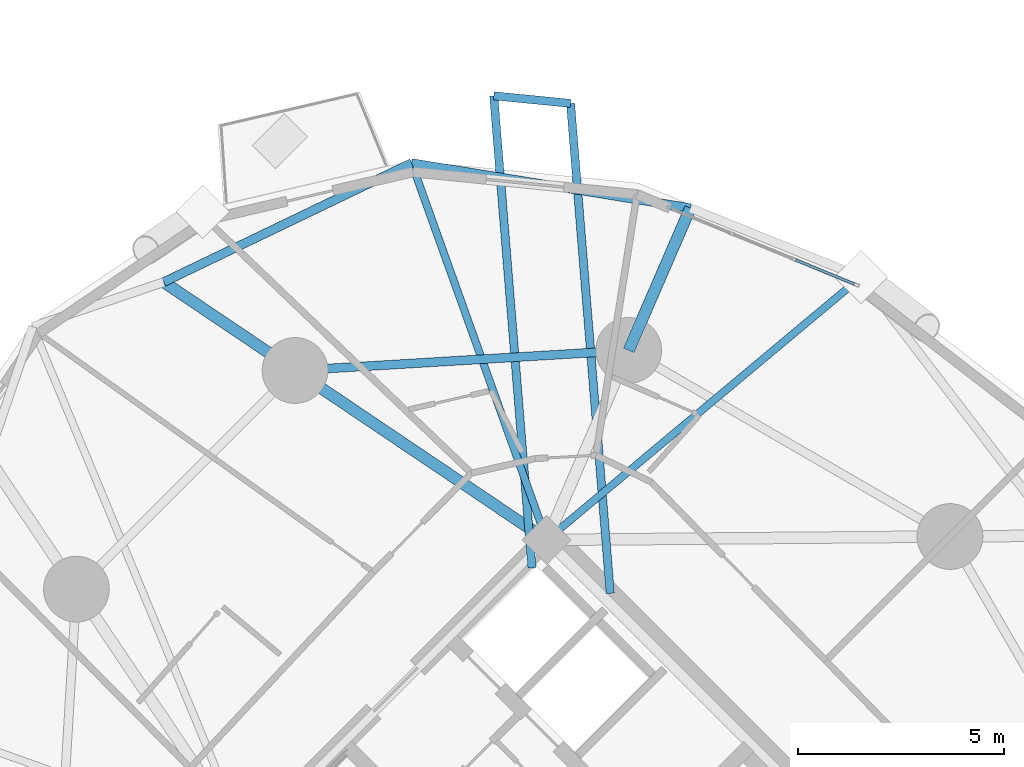
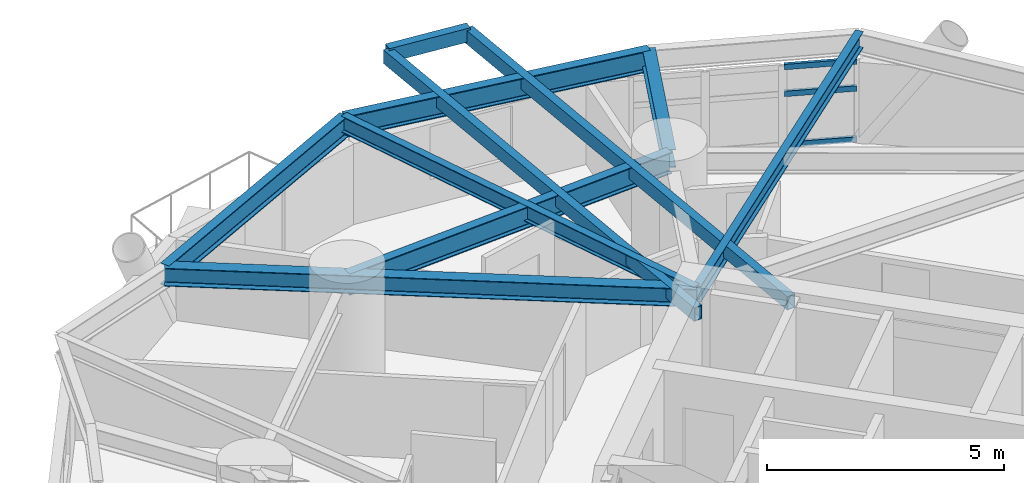
# One storey, part 6 of 19: 10 beams, 3 members, 1 element without a shape of its own.
"""IFC4 building model written with IfcOpenShell, lengths in metres."""

from ifc_helpers import new_model, si_unit, direction, frame, origin, origin_2d, place, context, subcontext, project, spatial, hollow_rectangle, i_section, extrude, material, layer, layer_set, material_profile, profile_set, type_object, element, aggregate, save


model = new_model("IFC4")

# Units and contexts
model_context = context("Model", 3, precision=1e-05, world=origin(), true_north=direction((0.0, 1.0)))
body_context = subcontext(model_context, "Body", "Model", "MODEL_VIEW")
ifc_project = project(units=[si_unit("LENGTHUNIT", "METRE"), si_unit("AREAUNIT", "SQUARE_METRE"), si_unit("VOLUMEUNIT", "CUBIC_METRE"), si_unit("PLANEANGLEUNIT", "RADIAN"), si_unit("MASSUNIT", "GRAM", prefix="KILO")], contexts=[model_context])

# Site, building, storey
site_placement = place(None, origin())
site = spatial("IfcSite", under=ifc_project, at=site_placement, CompositionType="ELEMENT")
building_placement = place(site_placement, origin())
building = spatial("IfcBuilding", under=site, at=building_placement, Name="Cununo Teusaquillo Station Towers", CompositionType="ELEMENT")
storey_placement = place(building_placement, frame((0.0, 0.0, 48.18994140625)))
storey = spatial("IfcBuildingStorey", under=building, at=storey_placement, Name="L14", CompositionType="ELEMENT", Elevation=48.18994140625)

# Beams
ifc_material_1 = material(Name="Steel EN 10025-2 S355J2", Category="steel")
ifc_material_profile_1 = material_profile(ifc_material_1, hollow_rectangle(XDim=0.199951171875, YDim=0.35009765625, WallThickness=0.013916015625, at=origin_2d()), Name="RHS 350x200x14")
ifc_profile_set_1 = profile_set([ifc_material_profile_1], Name="Steel EN 10025-2 S355J2")
beam_type_1 = type_object("IfcBeamType", Name="BM-BAL-CANT", PredefinedType="BEAM", material=ifc_profile_set_1)
beam_1_placement = place(storey_placement, frame((57.841796875, 31.72412109375, 2.47509765625), z_axis=(-0.080698566242, 0.996738552182, 0.0), x_axis=(-0.996738552182, -0.080698566242, 0.0)))
element("IfcBeam", 1, at=beam_1_placement, inside=storey, type_object=beam_type_1, Name="L14 Tower B Balcony Cantilever Bracket 1A", PredefinedType="BEAM", context=body_context, shape_type="SweptSolid", body=[
    extrude(hollow_rectangle(XDim=0.199951171875, YDim=0.35009765625, WallThickness=0.013916015625, at=origin_2d()), origin(), (0.0, 0.0, 1.0), 11.959228515625),
])
beam_2_placement = place(storey_placement, frame((55.938232421875, 32.3427734375, 2.47509765625), z_axis=(-0.080715185377, 0.996737206514, 0.0), x_axis=(-0.996737206514, -0.080715185377, 0.0)))
element("IfcBeam", 2, at=beam_2_placement, inside=storey, type_object=beam_type_1, Name="L14 Tower B Balcony Cantilever Bracket 1B", PredefinedType="BEAM", context=body_context, shape_type="SweptSolid", body=[
    extrude(hollow_rectangle(XDim=0.199951171875, YDim=0.35009765625, WallThickness=0.013916015625, at=origin_2d()), origin(), (0.0, 0.0, 1.0), 11.524169921875),
])
ifc_material_2 = material(Name="Steel ASTM A572 Grade 50", Category="steel")
ifc_material_profile_2 = material_profile(ifc_material_2, i_section(OverallWidth=0.180908203125, OverallDepth=0.4169921875, WebThickness=0.010986328125, FlangeThickness=0.018310546875, FilletRadius=0.012939453125, at=origin_2d()), Name="W16X57")
ifc_profile_set_2 = profile_set([ifc_material_profile_2], Name="Steel ASTM A572 Grade 50")
beam_type_2 = type_object("IfcBeamType", Name="BM-JOIST-1", PredefinedType="JOIST", material=ifc_profile_set_2)
beam_3_placement = place(storey_placement, frame((56.29443359375, 33.024169921875, 2.441650390625), z_axis=(0.767277092139, 0.641315728701, 0.0), x_axis=(-0.641315728701, 0.767277092139, 0.0)))
element("IfcBeam", 3, at=beam_3_placement, inside=storey, type_object=beam_type_2, Name="L14 Tower B Radial Spandrel Joist V01", PredefinedType="JOIST", context=body_context, shape_type="SweptSolid", body=[
    extrude(i_section(OverallWidth=0.180908203125, OverallDepth=0.4169921875, WebThickness=0.010986328125, FlangeThickness=0.018310546875, FilletRadius=0.012939453125, at=origin_2d()), origin(), (0.0, 0.0, 1.0), 9.97021484375),
])
beam_4_placement = place(storey_placement, frame((56.29443359375, 33.024169921875, 2.441650390625), z_axis=(-0.337279411522, 0.941404588136, 0.0), x_axis=(-0.941404588136, -0.337279411522, 0.0)))
element("IfcBeam", 4, at=beam_4_placement, inside=storey, type_object=beam_type_2, Name="L14 Tower B Radial Spandrel Joist V03", PredefinedType="JOIST", context=body_context, shape_type="SweptSolid", body=[
    extrude(i_section(OverallWidth=0.180908203125, OverallDepth=0.4169921875, WebThickness=0.010986328125, FlangeThickness=0.018310546875, FilletRadius=0.012939453125, at=origin_2d()), origin(), (0.0, 0.0, 1.0), 9.740234375),
])
ifc_material_3 = material(Name="Steel ASTM A572 Grade 50", Category="steel")
ifc_material_profile_3 = material_profile(ifc_material_3, i_section(OverallWidth=0.280029296875, OverallDepth=0.462890625, WebThickness=0.0107421875, FlangeThickness=0.017333984375, FilletRadius=0.013916015625, at=origin_2d()), Name="W18X76")
ifc_profile_set_3 = profile_set([ifc_material_profile_3], Name="Steel ASTM A572 Grade 50")
beam_type_3 = type_object("IfcBeamType", Name="BM-RAD-G1", PredefinedType="BEAM", material=ifc_profile_set_3)
beam_5_placement = place(storey_placement, frame((58.291015625, 37.63525390625, 2.41845703125), z_axis=(0.397391354301, 0.917649231203, 0.0), x_axis=(-0.917649231203, 0.397391354301, 0.0)))
element("IfcBeam", 5, at=beam_5_placement, inside=storey, type_object=beam_type_3, Name="L14 Tower B Perimeter Overhang Girder 02B", PredefinedType="BEAM", context=body_context, shape_type="SweptSolid", body=[
    extrude(i_section(OverallWidth=0.280029296875, OverallDepth=0.462890625, WebThickness=0.0107421875, FlangeThickness=0.017333984375, FilletRadius=0.013916015625, at=origin_2d()), origin(), (0.0, 0.0, 1.0), 3.7734375),
])
beam_6_placement = place(storey_placement, frame((56.29443359375, 33.024169921875, 2.41845703125), z_axis=(-0.82945583878, 0.558572297481, 0.0), x_axis=(-0.558572297481, -0.82945583878, 0.0)))
element("IfcBeam", 6, at=beam_6_placement, inside=storey, type_object=beam_type_3, Name="L14 Tower B Continuous Overhanging Radial Girder 03", PredefinedType="BEAM", context=body_context, shape_type="SweptSolid", body=[
    extrude(i_section(OverallWidth=0.280029296875, OverallDepth=0.462890625, WebThickness=0.0107421875, FlangeThickness=0.017333984375, FilletRadius=0.013916015625, at=origin_2d()), origin(), (0.0, 0.0, 1.0), 11.22998046875),
])
ifc_material_4 = material(Name="Steel ASTM A572 Grade 50", Category="steel")
ifc_material_profile_4 = material_profile(ifc_material_4, i_section(OverallWidth=0.214111328125, OverallDepth=0.549072265625, WebThickness=0.0146484375, FlangeThickness=0.023681640625, FilletRadius=0.014892578125, at=origin_2d()), Name="W21X93")
ifc_profile_set_4 = profile_set([ifc_material_profile_4], Name="Steel ASTM A572 Grade 50")
beam_type_4 = type_object("IfcBeamType", Name="BM-RING-Z1", PredefinedType="SPANDREL", material=ifc_profile_set_4)
beam_7_placement = place(storey_placement, frame((58.291015625, 37.63525390625, 2.37548828125), z_axis=(-0.998190567048, -0.06012979176, 0.0), x_axis=(0.06012979176, -0.998190567048, 0.0)))
element("IfcBeam", 7, at=beam_7_placement, inside=storey, type_object=beam_type_4, Name="L14 Tower B Structural Column Ring Girder 02", PredefinedType="SPANDREL", context=body_context, shape_type="SweptSolid", body=[
    extrude(i_section(OverallWidth=0.214111328125, OverallDepth=0.549072265625, WebThickness=0.0146484375, FlangeThickness=0.023681640625, FilletRadius=0.014892578125, at=origin_2d()), origin(), (0.0, 0.0, 1.0), 8.132568359375),
])
beam_8_placement = place(storey_placement, frame((59.79052734375, 41.097900390625, 2.37548828125), z_axis=(-0.987196384793, 0.15950955411, 0.0), x_axis=(-0.15950955411, -0.987196384793, 0.0)))
element("IfcBeam", 8, at=beam_8_placement, inside=storey, type_object=beam_type_4, Name="L14 Tower B Spandrel Ring Beam 03", PredefinedType="SPANDREL", context=body_context, shape_type="SweptSolid", body=[
    extrude(i_section(OverallWidth=0.214111328125, OverallDepth=0.549072265625, WebThickness=0.0146484375, FlangeThickness=0.023681640625, FilletRadius=0.014892578125, at=origin_2d()), origin(), (0.0, 0.0, 1.0), 6.869140625),
])
beam_9_placement = place(storey_placement, frame((53.00927734375, 42.193603515625, 2.37548828125), z_axis=(-0.901374357189, -0.433040723491, 0.0), x_axis=(0.433040723491, -0.901374357189, 0.0)))
element("IfcBeam", 9, at=beam_9_placement, inside=storey, type_object=beam_type_4, Name="L14 Tower B Spandrel Ring Beam 04", PredefinedType="SPANDREL", context=body_context, shape_type="SweptSolid", body=[
    extrude(i_section(OverallWidth=0.214111328125, OverallDepth=0.549072265625, WebThickness=0.0146484375, FlangeThickness=0.023681640625, FilletRadius=0.014892578125, at=origin_2d()), origin(), (0.0, 0.0, 1.0), 6.689208984375),
])
ifc_material_5 = material(Name="Steel EN 10025-2 S355J2", Category="steel")
ifc_material_profile_5 = material_profile(ifc_material_5, hollow_rectangle(XDim=0.199951171875, YDim=0.35009765625, WallThickness=0.013916015625, at=origin_2d()), Name="RHS 350x200x14")
ifc_profile_set_5 = profile_set([ifc_material_profile_5], Name="Steel EN 10025-2 S355J2")
beam_type_5 = type_object("IfcBeamType", Name="BM-STAIR-TRIM", PredefinedType="BEAM", material=ifc_profile_set_5)
beam_10_placement = place(storey_placement, frame((56.876708984375, 43.644287109375, 2.525146484375), z_axis=(-0.995131992485, 0.098551090973, 0.0), x_axis=(-0.098551090973, -0.995131992485, 0.0)))
element("IfcBeam", 10, at=beam_10_placement, inside=storey, type_object=beam_type_5, Name="L14 Tower B Balcony Edge Trimmer Beam 1", PredefinedType="BEAM", context=body_context, shape_type="SweptSolid", body=[
    extrude(hollow_rectangle(XDim=0.199951171875, YDim=0.35009765625, WallThickness=0.013916015625, at=origin_2d()), origin(), (0.0, 0.0, 1.0), 1.877685546875),
])

# Curtain wall, members
ifc_material_6 = material(Name="Operable acoustic tinted low-E double glazing", Category="glass")
ifc_layer = layer(ifc_material_6, 0.179931640625)
ifc_layer_set = layer_set([ifc_layer], Name="Operable acoustic tinted low-E double glazing")
curtain_wall_type = type_object("IfcCurtainWallType", Name="CW-SYS-03", PredefinedType="USERDEFINED", material=ifc_layer_set)
curtain_wall_placement = place(storey_placement, origin())
curtain_wall = element("IfcCurtainWall", 11, at=curtain_wall_placement, inside=storey, type_object=curtain_wall_type, Name="L14 Tower B Facade Curtain Wall C01", ObjectType="OPERABLE GLAZING", PredefinedType="USERDEFINED")
ifc_material_7 = material(Name="Anodised dark bronze aluminium EN AW-6063-T6", Category="aluminium")
ifc_material_profile_6 = material_profile(ifc_material_7, hollow_rectangle(XDim=0.070068359375, YDim=0.139892578125, WallThickness=0.00390625, at=origin_2d()), Name="CW-TRAN-70x140")
ifc_profile_set_6 = profile_set([ifc_material_profile_6], Name="Anodised dark bronze aluminium EN AW-6063-T6")
member_type = type_object("IfcMemberType", Name="CWT-140", PredefinedType="USERDEFINED", material=ifc_profile_set_6)
member_1_placement = place(storey_placement, frame((62.35498046875, 39.836181640625, 0.03515625), z_axis=(0.92451397274, -0.381148152572, 0.0), x_axis=(0.381148152572, 0.92451397274, 0.0)))
member_1 = element("IfcMember", 12, at=member_1_placement, type_object=member_type, Name="CW-03 transom 3.1", ObjectType="TRANSOM", PredefinedType="USERDEFINED", context=body_context, shape_type="SweptSolid", body=[
    extrude(hollow_rectangle(XDim=0.070068359375, YDim=0.139892578125, WallThickness=0.00390625, at=origin_2d()), origin(), (0.0, 0.0, 1.0), 1.541259765625),
])
member_2_placement = place(storey_placement, frame((62.35498046875, 39.836181640625, 1.34716796875), z_axis=(0.92451397274, -0.381148152572, 0.0), x_axis=(0.381148152572, 0.92451397274, 0.0)))
member_2 = element("IfcMember", 13, at=member_2_placement, type_object=member_type, Name="CW-03 transom 3.2", ObjectType="TRANSOM", PredefinedType="USERDEFINED", context=body_context, shape_type="SweptSolid", body=[
    extrude(hollow_rectangle(XDim=0.070068359375, YDim=0.139892578125, WallThickness=0.00390625, at=origin_2d()), origin(), (0.0, 0.0, 1.0), 1.541259765625),
])
member_3_placement = place(storey_placement, frame((62.35498046875, 39.836181640625, 2.0380859375), z_axis=(0.92451397274, -0.381148152572, 0.0), x_axis=(0.381148152572, 0.92451397274, 0.0)))
member_3 = element("IfcMember", 14, at=member_3_placement, type_object=member_type, Name="CW-03 transom 3.3", ObjectType="TRANSOM", PredefinedType="USERDEFINED", context=body_context, shape_type="SweptSolid", body=[
    extrude(hollow_rectangle(XDim=0.070068359375, YDim=0.139892578125, WallThickness=0.00390625, at=origin_2d()), origin(), (0.0, 0.0, 1.0), 1.541259765625),
])
aggregate(curtain_wall, [member_1, member_2, member_3])

save(model, "model.ifc")
